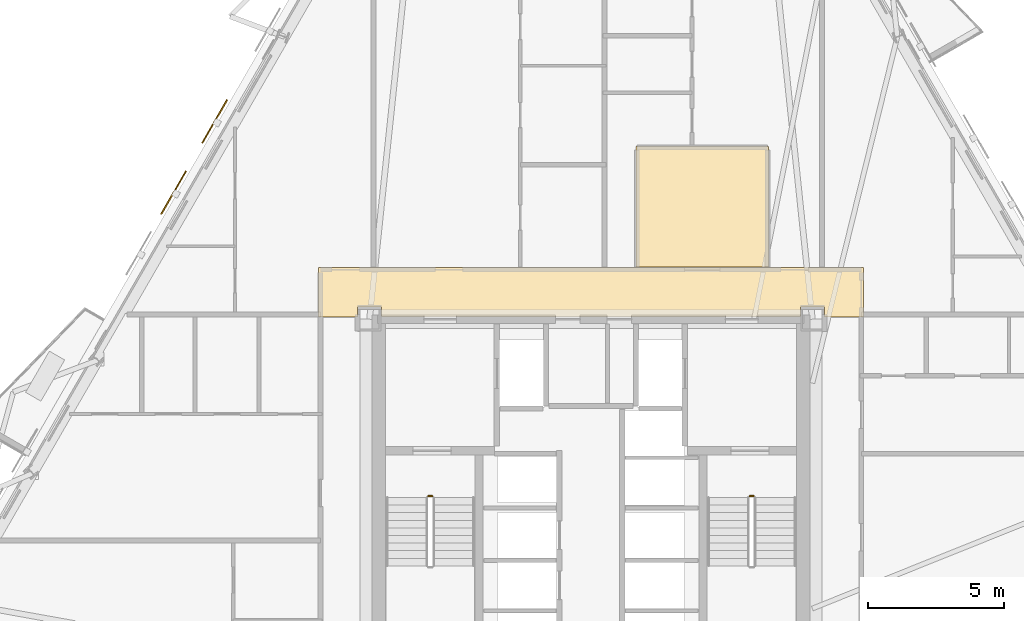
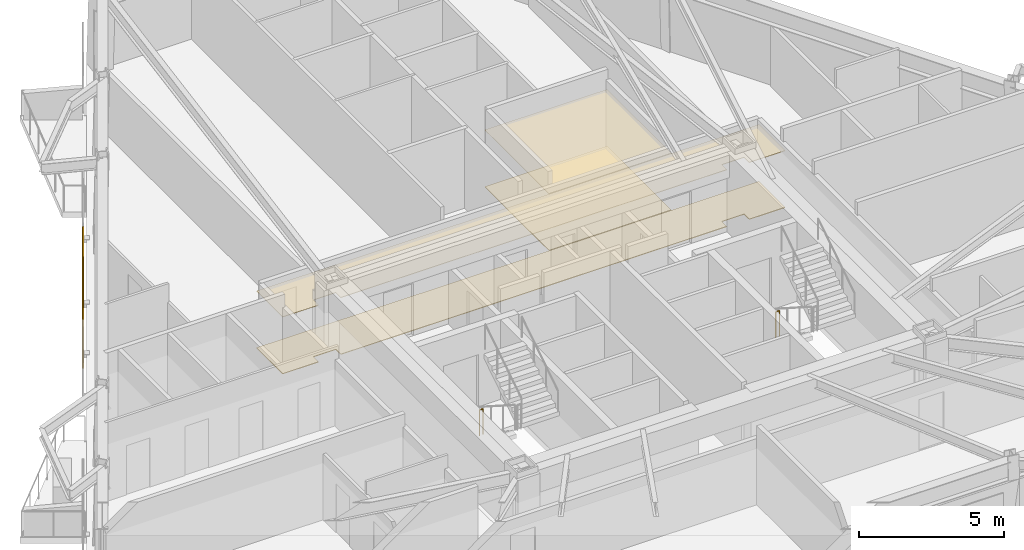
# One storey, part 10 of 11: 4 coverings, 2 railings, 2 shading devices.
"""IFC4 building model written with IfcOpenShell, lengths in metres."""

from ifc_helpers import new_model, si_unit, direction, frame, origin, origin_2d, place, context, subcontext, project, spatial, polyline, rectangle, circle, outline, extrude, material, layer, layer_set, type_object, element, save


model = new_model("IFC4")

# Units and contexts
model_context = context("Model", 3, precision=1e-05, world=origin(), true_north=direction((0.0, 1.0)))
body_context = subcontext(model_context, "Body", "Model", "MODEL_VIEW")
ifc_project = project(units=[si_unit("LENGTHUNIT", "METRE"), si_unit("AREAUNIT", "SQUARE_METRE"), si_unit("VOLUMEUNIT", "CUBIC_METRE"), si_unit("PLANEANGLEUNIT", "RADIAN"), si_unit("MASSUNIT", "GRAM", prefix="KILO")], contexts=[model_context])

# Site, building, storey
site_placement = place(None, origin())
site = spatial("IfcSite", under=ifc_project, at=site_placement, CompositionType="ELEMENT")
building_placement = place(site_placement, origin())
building = spatial("IfcBuilding", under=site, at=building_placement, Name="Oramaril Tower", CompositionType="ELEMENT")
storey_placement = place(building_placement, frame((0.0, 0.0, 89.699951171875)))
storey = spatial("IfcBuildingStorey", under=building, at=storey_placement, Name="L23", CompositionType="ELEMENT", Elevation=89.699951171875)

# Coverings
ifc_material_1 = material(Name="Mineral Fibre Acoustic Ceiling")
ifc_layer_1 = layer(ifc_material_1, 0.02001953125)
ifc_layer_set_1 = layer_set([ifc_layer_1], Name="CVT-CEIL")
covering_type_1 = type_object("IfcCoveringType", Name="CVT-CEIL", PredefinedType="CEILING", material=ifc_layer_set_1)
covering_1_placement = place(storey_placement, frame((0.0, 0.0, 2.400146484375)))
element("IfcCovering", 1, at=covering_1_placement, inside=storey, type_object=covering_type_1, Name="L23 Acoustic Suspended Ceiling 2", PredefinedType="CEILING", context=body_context, shape_type="SweptSolid", body=[
    extrude(outline(polyline([(47.530029296875, 24.239990234375), (46.094970703125, 24.239990234375), (46.094970703125, 24.594970703125), (45.205078125, 24.594970703125), (45.205078125, 24.25), (29.794921875, 24.25), (29.794921875, 24.594970703125), (28.905029296875, 24.594970703125), (28.905029296875, 24.239990234375), (27.469970703125, 24.239990234375), (27.469970703125, 26.050048828125), (47.530029296875, 26.050048828125), (47.530029296875, 24.239990234375)])), origin(), (0.0, 0.0, 1.0), 0.02001953125),
])
covering_2_placement = place(storey_placement, frame((0.0, 0.0, 2.400146484375)))
element("IfcCovering", 2, at=covering_2_placement, inside=storey, type_object=covering_type_1, Name="L23 Acoustic Suspended Ceiling 5", PredefinedType="CEILING", context=body_context, shape_type="SweptSolid", body=[
    extrude(outline(polyline([(44.0419921875, 30.511962890625), (44.0419921875, 26.070068359375), (39.157958984375, 26.070068359375), (39.157958984375, 30.511962890625), (44.0419921875, 30.511962890625)])), origin(), (0.0, 0.0, 1.0), 0.02001953125),
])
ifc_material_2 = material(Name="Honed Quartzite Stone Flooring", Category="masonry")
ifc_layer_2 = layer(ifc_material_2, 0.02490234375)
ifc_layer_set_2 = layer_set([ifc_layer_2], Name="CVT-FLR")
covering_type_2 = type_object("IfcCoveringType", Name="CVT-FLR", PredefinedType="FLOORING", material=ifc_layer_set_2)
covering_3_placement = place(storey_placement, origin())
element("IfcCovering", 3, at=covering_3_placement, inside=storey, type_object=covering_type_2, Name="L23 Honed Stone Floor Finish 2", PredefinedType="FLOORING", context=body_context, shape_type="SweptSolid", body=[
    extrude(outline(polyline([(47.530029296875, 24.239990234375), (46.094970703125, 24.239990234375), (46.094970703125, 24.594970703125), (45.205078125, 24.594970703125), (45.205078125, 24.25), (29.794921875, 24.25), (29.794921875, 24.594970703125), (28.905029296875, 24.594970703125), (28.905029296875, 24.239990234375), (27.469970703125, 24.239990234375), (27.469970703125, 26.050048828125), (47.530029296875, 26.050048828125), (47.530029296875, 24.239990234375)])), origin(), (0.0, 0.0, 1.0), 0.025146484375),
])
covering_4_placement = place(storey_placement, origin())
element("IfcCovering", 4, at=covering_4_placement, inside=storey, type_object=covering_type_2, Name="L23 Honed Stone Floor Finish 5", PredefinedType="FLOORING", context=body_context, shape_type="SweptSolid", body=[
    extrude(outline(polyline([(44.0419921875, 30.511962890625), (44.0419921875, 26.070068359375), (39.157958984375, 26.070068359375), (39.157958984375, 30.511962890625), (44.0419921875, 30.511962890625)])), origin(), (0.0, 0.0, 1.0), 0.025146484375),
])

# Railings
ifc_material_3 = material(Name="Stainless Steel 316L", Category="steel")
railing_type = type_object("IfcRailingType", Name="RLT-GRD", PredefinedType="GUARDRAIL", material=ifc_material_3)
for number, where, name in (
    (5, (31.510009765625, 17.639892578125, 0.0), "L23 ST-1 stair guard 4"),
    (6, (43.340087890625, 17.639892578125, 0.0), "L23 ST-2 stair guard 4"),
):
    element("IfcRailing", number, at=place(storey_placement, frame(where)), inside=storey, type_object=railing_type, Name=name, PredefinedType="GUARDRAIL", context=body_context, shape_type="SweptSolid", body=[
        extrude(circle(Radius=0.02392578125, at=origin_2d()), frame((0.0, 0.0, 1.076171875), z_axis=(1.0, 0.0, 0.0), x_axis=(0.0, 1.0, 0.0)), (0.0, 0.0, 1.0), 0.14990234375),
        extrude(circle(Radius=0.02099609375, at=origin_2d()), origin(), (0.0, 0.0, 1.0), 1.052001953125),
        extrude(circle(Radius=0.02099609375, at=origin_2d()), frame((0.14990234375, 0.0, 0.0)), (0.0, 0.0, 1.0), 1.052001953125),
    ])

# Shading devices
for number, where, z_axis, x_axis, name in (
    (7, (23.65185546875, 31.43310546875, -0.02001953125), (0.0, 0.0, 1.0), (-0.5, -0.866025403784, 0.0), "L23 Perforated Ceramic Solar Screen"),
    (8, (22.13818359375, 28.81103515625, -0.02001953125), (0.0, 0.0, 1.0), (-0.5, -0.866025403784, 0.0), "L23 Perforated Ceramic Solar Screen"),
):
    element("IfcShadingDevice", number, at=place(storey_placement, frame(where, z_axis=z_axis, x_axis=x_axis)), inside=storey, Name=name, ObjectType="SCREEN", PredefinedType="USERDEFINED", context=body_context, shape_type="SweptSolid", body=[
        extrude(rectangle(XDim=1.8330078125, YDim=0.050048828125, at=origin_2d()), origin(), (0.0, 0.0, 1.0), 2.577880859375),
    ])

save(model, "model.ifc")
